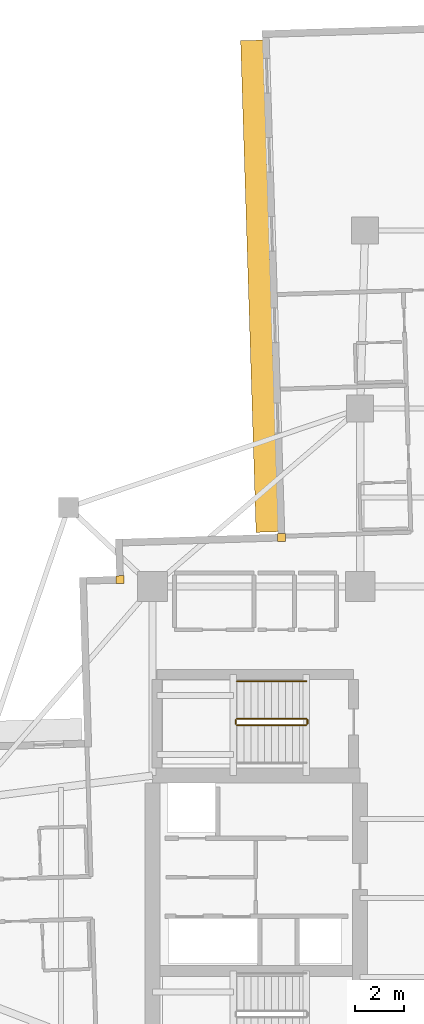
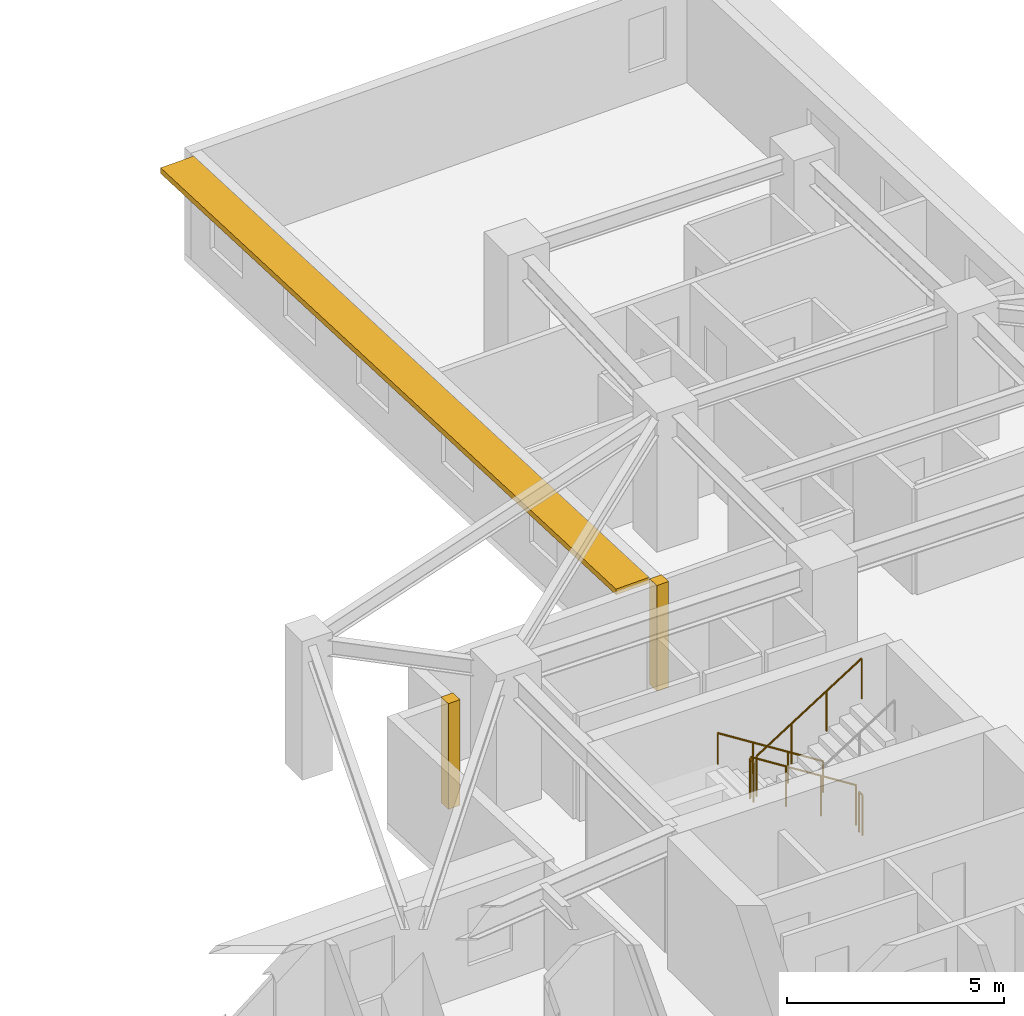
# One storey, part 13 of 14: 5 railings, 2 coverings, 1 shading device.
"""IFC4 building model written with IfcOpenShell, lengths in metres."""

from ifc_helpers import new_model, si_unit, direction, frame, origin, origin_2d, place, context, subcontext, project, spatial, rectangle, circle, extrude, material, layer, layer_set, type_object, element, save


model = new_model("IFC4")

# Units and contexts
model_context = context("Model", 3, precision=1e-05, world=origin(), true_north=direction((0.0, 1.0)))
body_context = subcontext(model_context, "Body", "Model", "MODEL_VIEW")
ifc_project = project(units=[si_unit("LENGTHUNIT", "METRE"), si_unit("AREAUNIT", "SQUARE_METRE"), si_unit("VOLUMEUNIT", "CUBIC_METRE"), si_unit("PLANEANGLEUNIT", "RADIAN"), si_unit("MASSUNIT", "GRAM", prefix="KILO")], contexts=[model_context])

# Site, building, storey
site_placement = place(None, origin())
site = spatial("IfcSite", under=ifc_project, at=site_placement, CompositionType="ELEMENT")
building_placement = place(site_placement, origin())
building = spatial("IfcBuilding", under=site, at=building_placement, Name="Qingluan Cross Belvedere", CompositionType="ELEMENT")
storey_placement = place(building_placement, frame((0.0, 0.0, 112.5)))
storey = spatial("IfcBuildingStorey", under=building, at=storey_placement, Name="L28", CompositionType="ELEMENT", Elevation=112.5)

# Coverings
ifc_material_1 = material(Name="Precast concrete C45", Category="concrete")
ifc_layer_1 = layer(ifc_material_1, 0.1201171875, Name="ConcreteSpandrelCladding_120")
ifc_layer_set_1 = layer_set([ifc_layer_1], Name="Precast concrete C45")
covering_type = type_object("IfcCoveringType", Name="ConcreteSpandrelCladding_120", PredefinedType="CLADDING", material=ifc_layer_set_1)
for number, where, z_axis, x_axis, name in (
    (1, (-13.711181640625, 12.875732421875, 0.0), (0.0, 0.0, 1.0), (0.999506560366, 0.031410759078, 0.0), "Corner closure L28-NW1"),
    (2, (-7.181640625, 14.58154296875, 0.0), (0.0, 0.0, 1.0), (0.999506560366, 0.031410759078, 0.0), "Corner closure L28-NW2"),
):
    element("IfcCovering", number, at=place(storey_placement, frame(where, z_axis=z_axis, x_axis=x_axis)), inside=storey, type_object=covering_type, Name=name, PredefinedType="CLADDING", context=body_context, shape_type="SweptSolid", body=[
        extrude(rectangle(XDim=0.320068359375, YDim=0.320068359375, at=origin_2d()), origin(), (0.0, 0.0, 1.0), 2.969970703125),
    ])

# Shading device
ifc_material_2 = material(Name="Precast concrete C45", Category="concrete")
ifc_layer_2 = layer(ifc_material_2, 0.159912109375, Name="ConcreteSunshadeBand_900")
ifc_layer_set_2 = layer_set([ifc_layer_2], Name="Precast concrete C45")
shading_device_type = type_object("IfcShadingDeviceType", Name="ConcreteSunshadeBand_900", PredefinedType="USERDEFINED", material=ifc_layer_set_2)
shading_device_placement = place(storey_placement, frame((-8.0712890625, 24.74853515625, 2.7900390625), z_axis=(0.0, 0.0, 1.0), x_axis=(0.031407934627, -0.999506649124, 0.0)))
element("IfcShadingDevice", 3, at=shading_device_placement, inside=storey, type_object=shading_device_type, Name="Concrete SUNSHADE L28-NB", ObjectType="SUNSHADE", PredefinedType="USERDEFINED", context=body_context, shape_type="SweptSolid", body=[
    extrude(rectangle(XDim=19.89990234375, YDim=0.89990234375, at=origin_2d()), origin(), (0.0, 0.0, 1.0), 0.159912109375),
])

# Railings
ifc_material_3 = material(Name="Brushed stainless steel tubular handrail", Category="steel")
railing_type_1 = type_object("IfcRailingType", Name="StairPitchHandrail_900", PredefinedType="HANDRAIL", material=ifc_material_3)
railing_1_placement = place(storey_placement, frame((-6.179931640625, 8.77001953125, 0.17724609375)))
element("IfcRailing", 4, at=railing_1_placement, inside=storey, type_object=railing_type_1, Name="L28 ST3 stair handrail 1", PredefinedType="HANDRAIL", context=body_context, shape_type="SweptSolid", body=[
    extrude(circle(Radius=0.02392578125, at=origin_2d()), frame((0.0, 0.0, 0.8759765625), z_axis=(-0.844908973607, 0.0, 0.534910110503), x_axis=(0.0, -1.0, 0.0)), (0.0, 0.0, 1.0), 3.31396484375),
    extrude(circle(Radius=0.02099609375, at=origin_2d()), origin(), (0.0, 0.0, 1.0), 0.851806640625),
    extrude(circle(Radius=0.02099609375, at=origin_2d()), frame((-0.933349609375, 0.0, 0.5908203125)), (0.0, 0.0, 1.0), 0.851806640625),
    extrude(circle(Radius=0.02099609375, at=origin_2d()), frame((-1.86669921875, 0.0, 1.181884765625)), (0.0, 0.0, 1.0), 0.851806640625),
    extrude(circle(Radius=0.02099609375, at=origin_2d()), frame((-2.800048828125, 0.0, 1.772705078125)), (0.0, 0.0, 1.0), 0.851806640625),
])
ifc_material_4 = material(Name="Painted steel stair well guard", Category="steel")
railing_type_2 = type_object("IfcRailingType", Name="StairWellGuard_1150", PredefinedType="BALUSTRADE", material=ifc_material_4)
railing_2_placement = place(storey_placement, frame((-6.179931640625, 7.25, 0.17724609375)))
element("IfcRailing", 5, at=railing_2_placement, inside=storey, type_object=railing_type_2, Name="L28 ST3 stair guard 1", PredefinedType="BALUSTRADE", context=body_context, shape_type="SweptSolid", body=[
    extrude(circle(Radius=0.02392578125, at=origin_2d()), frame((0.0, 0.0, 1.1259765625), z_axis=(-0.844908973607, 0.0, 0.534910110503), x_axis=(0.0, -1.0, 0.0)), (0.0, 0.0, 1.0), 3.31396484375),
    extrude(circle(Radius=0.02099609375, at=origin_2d()), origin(), (0.0, 0.0, 1.0), 1.101806640625),
    extrude(circle(Radius=0.02099609375, at=origin_2d()), frame((-0.933349609375, 0.0, 0.5908203125)), (0.0, 0.0, 1.0), 1.101806640625),
    extrude(circle(Radius=0.02099609375, at=origin_2d()), frame((-1.86669921875, 0.0, 1.181884765625)), (0.0, 0.0, 1.0), 1.101806640625),
    extrude(circle(Radius=0.02099609375, at=origin_2d()), frame((-2.800048828125, 0.0, 1.772705078125)), (0.0, 0.0, 1.0), 1.101806640625),
])
railing_3_placement = place(storey_placement, frame((-9.030029296875, 7.199951171875, 1.949951171875)))
element("IfcRailing", 6, at=railing_3_placement, inside=storey, type_object=railing_type_2, Name="L28 ST3 stair guard 2", PredefinedType="BALUSTRADE", context=body_context, shape_type="SweptSolid", body=[
    extrude(circle(Radius=0.02392578125, at=origin_2d()), frame((0.0, 0.0, 1.1259765625), z_axis=(0.0, -1.0, 0.0), x_axis=(1.0, 0.0, 0.0)), (0.0, 0.0, 1.0), 0.159912109375),
    extrude(circle(Radius=0.02099609375, at=origin_2d()), origin(), (0.0, 0.0, 1.0), 1.101806640625),
    extrude(circle(Radius=0.02099609375, at=origin_2d()), frame((0.0, -0.159912109375, 0.0)), (0.0, 0.0, 1.0), 1.101806640625),
])
railing_4_placement = place(storey_placement, frame((-8.97998046875, 6.989990234375, 2.127197265625)))
element("IfcRailing", 7, at=railing_4_placement, inside=storey, type_object=railing_type_2, Name="L28 ST3 stair guard 3", PredefinedType="BALUSTRADE", context=body_context, shape_type="SweptSolid", body=[
    extrude(circle(Radius=0.02392578125, at=origin_2d()), frame((0.0, 0.0, 1.1259765625), z_axis=(0.844908973607, 0.0, 0.534910110503), x_axis=(0.0, 1.0, 0.0)), (0.0, 0.0, 1.0), 3.31396484375),
    extrude(circle(Radius=0.02099609375, at=origin_2d()), origin(), (0.0, 0.0, 1.0), 1.101806640625),
    extrude(circle(Radius=0.02099609375, at=origin_2d()), frame((0.933349609375, 0.0, 0.5908203125)), (0.0, 0.0, 1.0), 1.101806640625),
    extrude(circle(Radius=0.02099609375, at=origin_2d()), frame((1.86669921875, 0.0, 1.181884765625)), (0.0, 0.0, 1.0), 1.101806640625),
    extrude(circle(Radius=0.02099609375, at=origin_2d()), frame((2.800048828125, 0.0, 1.772705078125)), (0.0, 0.0, 1.0), 1.101806640625),
])
railing_5_placement = place(storey_placement, frame((-6.1298828125, 7.199951171875, 0.0)))
element("IfcRailing", 8, at=railing_5_placement, inside=storey, type_object=railing_type_2, Name="L28 ST3 stair guard 4", PredefinedType="BALUSTRADE", context=body_context, shape_type="SweptSolid", body=[
    extrude(circle(Radius=0.02392578125, at=origin_2d()), frame((0.0, 0.0, 1.1259765625), z_axis=(0.0, -1.0, 0.0), x_axis=(1.0, 0.0, 0.0)), (0.0, 0.0, 1.0), 0.159912109375),
    extrude(circle(Radius=0.02099609375, at=origin_2d()), origin(), (0.0, 0.0, 1.0), 1.101806640625),
    extrude(circle(Radius=0.02099609375, at=origin_2d()), frame((0.0, -0.159912109375, 0.0)), (0.0, 0.0, 1.0), 1.101806640625),
])

save(model, "model.ifc")
